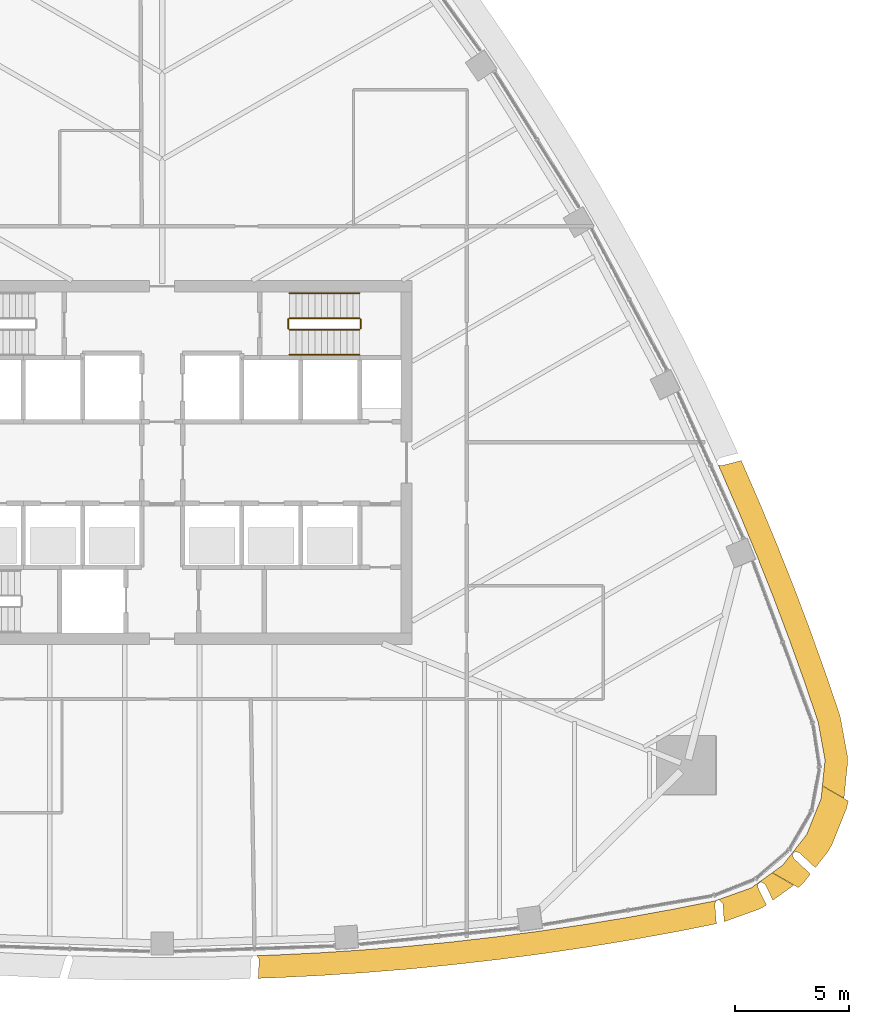
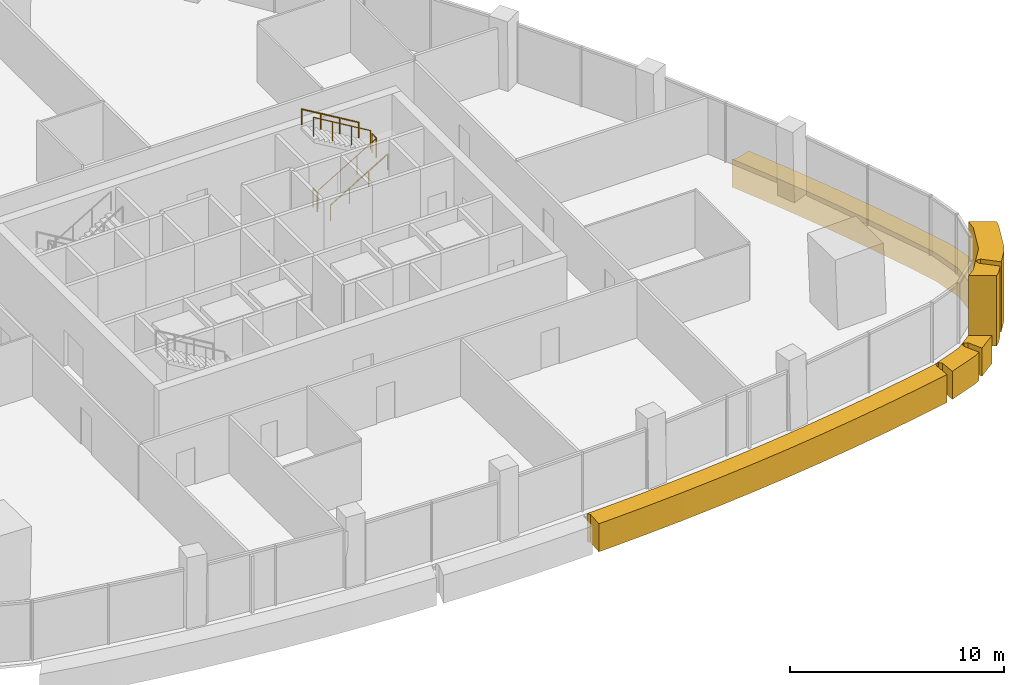
# One storey, part 14 of 16: 6 railings, 3 coverings.
"""IFC4 building model written with IfcOpenShell, lengths in metres."""

from ifc_helpers import new_model, si_unit, direction, frame, origin, origin_2d, place, context, subcontext, project, spatial, polyline, circle, outline, extrude, material, layer, layer_set, type_object, element, save


model = new_model("IFC4")

# Units and contexts
model_context = context("Model", 3, precision=1e-05, world=origin(), true_north=direction((0.0, 1.0)))
body_context = subcontext(model_context, "Body", "Model", "MODEL_VIEW")
ifc_project = project(units=[si_unit("LENGTHUNIT", "METRE"), si_unit("AREAUNIT", "SQUARE_METRE"), si_unit("VOLUMEUNIT", "CUBIC_METRE"), si_unit("PLANEANGLEUNIT", "RADIAN"), si_unit("MASSUNIT", "GRAM", prefix="KILO")], contexts=[model_context])

# Site, building, storey
site_placement = place(None, origin())
site = spatial("IfcSite", under=ifc_project, at=site_placement, CompositionType="ELEMENT")
building_placement = place(site_placement, origin())
building = spatial("IfcBuilding", under=site, at=building_placement, Name="Sierra Prisma Convention Tower", CompositionType="ELEMENT")
storey_placement = place(building_placement, frame((0.0, 0.0, 197.800048828125)))
storey = spatial("IfcBuildingStorey", under=building, at=storey_placement, Name="L44", CompositionType="ELEMENT", Elevation=197.800048828125)

# Coverings
ifc_material_1 = material(Name="Aluminium composite bronze anodised", Category="aluminium")
ifc_layer_1 = layer(ifc_material_1, 1.199951171875)
ifc_layer_set_1 = layer_set([ifc_layer_1], Name="Bronze corner pier")
covering_type_1 = type_object("IfcCoveringType", Name="Bronze corner pier", PredefinedType="CLADDING", material=ifc_layer_set_1)
covering_1_placement = place(storey_placement, frame((0.0, 0.0, -0.60009765625)))
element("IfcCovering", 1, at=covering_1_placement, inside=storey, type_object=covering_type_1, Name="Corner pier SE L44.1", PredefinedType="CLADDING", context=body_context, shape_type="SweptSolid", body=[
    extrude(outline(polyline([(29.290283203125, -17.10498046875), (28.72998046875, -17.8203125), (28.022216796875, -17.158935546875), (28.0185546875, -17.155517578125), (28.014404296875, -17.15283203125), (28.010009765625, -17.150390625), (28.005126953125, -17.1484375), (28.00048828125, -17.14697265625), (27.99560546875, -17.14599609375), (27.846435546875, -17.123779296875), (27.841796875, -17.12353515625), (27.8369140625, -17.12353515625), (27.832275390625, -17.123779296875), (27.827392578125, -17.124755859375), (27.822998046875, -17.126220703125), (27.818359375, -17.1279296875), (27.814208984375, -17.130126953125), (27.81005859375, -17.1328125), (27.806396484375, -17.1357421875), (27.802978515625, -17.138916015625), (27.7998046875, -17.142578125), (27.73828125, -17.22119140625), (27.7353515625, -17.225341796875), (27.73291015625, -17.2294921875), (27.73095703125, -17.23388671875), (27.7294921875, -17.238525390625), (27.728271484375, -17.243408203125), (27.727783203125, -17.248046875), (27.7275390625, -17.2529296875), (27.727783203125, -17.2578125), (27.728515625, -17.2626953125), (27.72998046875, -17.267333984375), (27.769775390625, -17.393310546875), (27.771484375, -17.39794921875), (27.77392578125, -17.402587890625), (27.776611328125, -17.406982421875), (27.77978515625, -17.410888671875), (27.783203125, -17.41455078125), (28.513671875, -18.096923828125), (28.238525390625, -18.4482421875), (27.99609375, -18.681396484375), (27.978759765625, -18.69384765625), (26.839599609375, -18.0361328125), (27.293701171875, -17.70849609375), (28.34521484375, -16.365234375), (28.98291015625, -14.78271484375), (29.039794921875, -14.2255859375), (30.1787109375, -14.88330078125), (30.1767578125, -14.904541015625), (30.095947265625, -15.231201171875), (29.45849609375, -16.813720703125), (29.290283203125, -17.10498046875)])), origin(), (0.0, 0.0, 1.0), 4.0),
])
ifc_material_2 = material(Name="Aluminium composite bronze anodised", Category="aluminium")
ifc_layer_2 = layer(ifc_material_2, 1.0)
ifc_layer_set_2 = layer_set([ifc_layer_2], Name="Bronze spandrel band")
covering_type_2 = type_object("IfcCoveringType", Name="Bronze spandrel band", PredefinedType="CLADDING", material=ifc_layer_set_2)
covering_2_placement = place(storey_placement, frame((0.0, 0.0, -1.60009765625)))
element("IfcCovering", 2, at=covering_2_placement, inside=storey, type_object=covering_type_2, Name="Spandrel band L44.5", PredefinedType="CLADDING", context=body_context, shape_type="SweptSolid", body=[
    extrude(outline(polyline([(29.835205078125, -11.228271484375), (30.139892578125, -12.90673828125), (30.15087890625, -13.18701171875), (29.989990234375, -14.762939453125), (29.040771484375, -14.21484375), (29.156005859375, -13.08544921875), (28.851318359375, -11.40673828125), (28.219970703125, -9.5537109375), (27.55859375, -7.7109375), (26.8671875, -5.879150390625), (26.146240234375, -4.05908203125), (25.395751953125, -2.250732421875), (24.615966796875, -0.455078125), (24.44970703125, -0.088623046875), (24.45166015625, -0.091064453125), (24.455322265625, -0.0947265625), (24.45947265625, -0.097900390625), (24.463623046875, -0.100830078125), (24.46826171875, -0.103271484375), (24.47314453125, -0.10498046875), (24.478271484375, -0.1064453125), (24.597900390625, -0.13232421875), (24.6025390625, -0.133056640625), (24.607177734375, -0.133544921875), (24.61181640625, -0.13330078125), (24.616455078125, -0.1328125), (24.620849609375, -0.1318359375), (25.468505859375, 0.0859375), (25.526611328125, -0.0419921875), (25.533203125, -0.056640625), (26.31298828125, -1.8525390625), (26.3193359375, -1.867431640625), (27.06982421875, -3.67578125), (27.075927734375, -3.69091796875), (27.797119140625, -5.510986328125), (27.802978515625, -5.526123046875), (28.494140625, -7.35791015625), (28.499755859375, -7.373046875), (29.1611328125, -9.2158203125), (29.16650390625, -9.231201171875), (29.7978515625, -11.084228515625), (29.835205078125, -11.228271484375)])), origin(), (0.0, 0.0, 1.0), 1.60009765625),
])
covering_3_placement = place(storey_placement, frame((0.0, 0.0, -1.60009765625)))
element("IfcCovering", 3, at=covering_3_placement, inside=storey, type_object=covering_type_2, Name="Spandrel band L44.6", PredefinedType="CLADDING", context=body_context, shape_type="SweptSolid", body=[
    extrude(outline(polyline([(26.52294921875, -18.54931640625), (26.52001953125, -18.5458984375), (26.516845703125, -18.54248046875), (26.51318359375, -18.53955078125), (26.509521484375, -18.536865234375), (26.50537109375, -18.53466796875), (26.36328125, -18.46240234375), (26.358642578125, -18.46044921875), (26.35400390625, -18.458740234375), (26.34912109375, -18.457763671875), (26.34423828125, -18.457275390625), (26.339111328125, -18.45703125), (26.334228515625, -18.45751953125), (26.329345703125, -18.458251953125), (26.32470703125, -18.459716796875), (26.320068359375, -18.46142578125), (26.3154296875, -18.4638671875), (26.311279296875, -18.466552734375), (26.230224609375, -18.52490234375), (26.226318359375, -18.5283203125), (26.22265625, -18.531982421875), (26.21923828125, -18.535888671875), (26.21630859375, -18.540283203125), (26.214111328125, -18.544921875), (26.212158203125, -18.549560546875), (26.210693359375, -18.5546875), (26.2099609375, -18.559814453125), (26.20947265625, -18.564697265625), (26.207763671875, -18.687255859375), (26.2080078125, -18.69189453125), (26.20849609375, -18.696533203125), (26.20947265625, -18.701171875), (26.2109375, -18.70556640625), (26.212890625, -18.709716796875), (26.57568359375, -19.460205078125), (26.49560546875, -19.51806640625), (26.24755859375, -19.648681640625), (24.722412109375, -20.195068359375), (24.657470703125, -19.40625), (24.65673828125, -19.4013671875), (24.655517578125, -19.396484375), (24.654052734375, -19.391845703125), (24.65185546875, -19.38720703125), (24.6494140625, -19.3828125), (24.646484375, -19.37890625), (24.643310546875, -19.375244140625), (24.525146484375, -19.255615234375), (24.521728515625, -19.25244140625), (24.517822265625, -19.24951171875), (24.513916015625, -19.2470703125), (24.509765625, -19.2451171875), (24.50537109375, -19.243408203125), (24.500732421875, -19.241943359375), (24.49609375, -19.2412109375), (24.4912109375, -19.24072265625), (24.486572265625, -19.24072265625), (24.48193359375, -19.241455078125), (24.477294921875, -19.2421875), (24.47265625, -19.24365234375), (24.378662109375, -19.27734375), (24.3740234375, -19.279296875), (24.36962890625, -19.281494140625), (24.365478515625, -19.284423828125), (24.36181640625, -19.28759765625), (24.358154296875, -19.291015625), (24.35498046875, -19.294921875), (24.352294921875, -19.299072265625), (24.35009765625, -19.303466796875), (24.34814453125, -19.30810546875), (24.311279296875, -19.414306640625), (24.309814453125, -19.41943359375), (24.308837890625, -19.424560546875), (24.308349609375, -19.4296875), (24.30859375, -19.434814453125), (24.378662109375, -20.287109375), (22.57763671875, -20.643310546875), (22.561767578125, -20.646484375), (20.63525390625, -20.9951171875), (20.619140625, -20.997802734375), (18.687255859375, -21.31494140625), (18.671142578125, -21.3173828125), (16.734375, -21.603271484375), (16.71826171875, -21.60546875), (14.777099609375, -21.859619140625), (14.7607421875, -21.861572265625), (12.815673828125, -22.083984375), (12.799560546875, -22.085693359375), (10.85107421875, -22.276611328125), (10.8349609375, -22.278076171875), (8.883544921875, -22.43701171875), (8.8671875, -22.438232421875), (6.913818359375, -22.565673828125), (6.8974609375, -22.566650390625), (4.94189453125, -22.662109375), (4.92578125, -22.662841796875), (4.222412109375, -22.685791015625), (4.267578125, -21.864990234375), (4.267578125, -21.860107421875), (4.26708984375, -21.85498046875), (4.26611328125, -21.85009765625), (4.2646484375, -21.84521484375), (4.2626953125, -21.840576171875), (4.26025390625, -21.836181640625), (4.181396484375, -21.707763671875), (4.1787109375, -21.703857421875), (4.17578125, -21.7001953125), (4.17236328125, -21.69677734375), (4.168701171875, -21.693603515625), (4.16455078125, -21.691162109375), (4.160400390625, -21.688720703125), (4.15673828125, -21.687255859375), (4.893310546875, -21.663330078125), (6.8486328125, -21.56787109375), (8.80224609375, -21.4404296875), (10.753662109375, -21.28125), (12.7021484375, -21.090576171875), (14.647216796875, -20.867919921875), (16.58837890625, -20.614013671875), (18.525146484375, -20.328125), (20.457275390625, -20.010986328125), (22.3837890625, -19.66259765625), (24.30419921875, -19.28271484375), (25.910400390625, -18.707275390625), (26.830810546875, -18.042724609375), (27.780029296875, -18.5908203125), (26.864013671875, -19.252197265625), (26.52783203125, -18.557373046875), (26.525634765625, -18.55322265625), (26.52294921875, -18.54931640625)])), origin(), (0.0, 0.0, 1.0), 1.60009765625),
])

# Railings
ifc_material_3 = material(Name="Stainless steel", Category="steel")
railing_type_1 = type_object("IfcRailingType", Name="Exit stair handrail", PredefinedType="HANDRAIL", material=ifc_material_3)
railing_1_placement = place(storey_placement, frame((5.60009765625, 4.75, 0.16650390625)))
element("IfcRailing", 4, at=railing_1_placement, inside=storey, type_object=railing_type_1, Name="L44 S4 stair handrail 1", PredefinedType="HANDRAIL", context=body_context, shape_type="SweptSolid", body=[
    extrude(circle(Radius=0.02392578125, at=origin_2d()), frame((0.0, 0.0, 0.8759765625), z_axis=(0.859260807169, 0.0, 0.511537745687), x_axis=(0.0, 1.0, 0.0)), (0.0, 0.0, 1.0), 3.584228515625),
    extrude(circle(Radius=0.02099609375, at=origin_2d()), origin(), (0.0, 0.0, 1.0), 0.851806640625),
    extrude(circle(Radius=0.02099609375, at=origin_2d()), frame((1.026611328125, 0.0, 0.611083984375)), (0.0, 0.0, 1.0), 0.851806640625),
    extrude(circle(Radius=0.02099609375, at=origin_2d()), frame((2.05322265625, 0.0, 1.222412109375)), (0.0, 0.0, 1.0), 0.851806640625),
    extrude(circle(Radius=0.02099609375, at=origin_2d()), frame((3.079833984375, 0.0, 1.83349609375)), (0.0, 0.0, 1.0), 0.851806640625),
])
railing_2_placement = place(storey_placement, frame((8.679931640625, 7.449951171875, 2.16650390625)))
element("IfcRailing", 5, at=railing_2_placement, inside=storey, type_object=railing_type_1, Name="L44 S4 stair handrail 2", PredefinedType="HANDRAIL", context=body_context, shape_type="SweptSolid", body=[
    extrude(circle(Radius=0.02392578125, at=origin_2d()), frame((0.0, 0.0, 0.8759765625), z_axis=(-0.859260807169, 0.0, 0.511537745687), x_axis=(0.0, -1.0, 0.0)), (0.0, 0.0, 1.0), 3.584228515625),
    extrude(circle(Radius=0.02099609375, at=origin_2d()), origin(), (0.0, 0.0, 1.0), 0.851806640625),
    extrude(circle(Radius=0.02099609375, at=origin_2d()), frame((-1.026611328125, 0.0, 0.611083984375)), (0.0, 0.0, 1.0), 0.851806640625),
    extrude(circle(Radius=0.02099609375, at=origin_2d()), frame((-2.05322265625, 0.0, 1.222412109375)), (0.0, 0.0, 1.0), 0.851806640625),
    extrude(circle(Radius=0.02099609375, at=origin_2d()), frame((-3.079833984375, 0.0, 1.83349609375)), (0.0, 0.0, 1.0), 0.851806640625),
])
ifc_material_4 = material(Name="Stainless steel", Category="steel")
railing_type_2 = type_object("IfcRailingType", Name="Stair guard 1100", PredefinedType="GUARDRAIL", material=ifc_material_4)
railing_3_placement = place(storey_placement, frame((5.60009765625, 5.85009765625, 0.16650390625)))
element("IfcRailing", 6, at=railing_3_placement, inside=storey, type_object=railing_type_2, Name="L44 S4 stair guard 1", PredefinedType="GUARDRAIL", context=body_context, shape_type="SweptSolid", body=[
    extrude(circle(Radius=0.02392578125, at=origin_2d()), frame((0.0, 0.0, 1.076171875), z_axis=(0.859260807169, 0.0, 0.511537745687), x_axis=(0.0, 1.0, 0.0)), (0.0, 0.0, 1.0), 3.584228515625),
    extrude(circle(Radius=0.02099609375, at=origin_2d()), origin(), (0.0, 0.0, 1.0), 1.052001953125),
    extrude(circle(Radius=0.02099609375, at=origin_2d()), frame((1.026611328125, 0.0, 0.611083984375)), (0.0, 0.0, 1.0), 1.052001953125),
    extrude(circle(Radius=0.02099609375, at=origin_2d()), frame((2.05322265625, 0.0, 1.222412109375)), (0.0, 0.0, 1.0), 1.052001953125),
    extrude(circle(Radius=0.02099609375, at=origin_2d()), frame((3.079833984375, 0.0, 1.83349609375)), (0.0, 0.0, 1.0), 1.052001953125),
])
railing_4_placement = place(storey_placement, frame((8.72998046875, 5.89990234375, 2.0)))
element("IfcRailing", 7, at=railing_4_placement, inside=storey, type_object=railing_type_2, Name="L44 S4 stair guard 2", PredefinedType="GUARDRAIL", context=body_context, shape_type="SweptSolid", body=[
    extrude(circle(Radius=0.02392578125, at=origin_2d()), frame((0.0, 0.0, 1.076171875), z_axis=(0.0, 1.0, 0.0), x_axis=(-1.0, 0.0, 0.0)), (0.0, 0.0, 1.0), 0.400146484375),
    extrude(circle(Radius=0.02099609375, at=origin_2d()), origin(), (0.0, 0.0, 1.0), 1.052001953125),
    extrude(circle(Radius=0.02099609375, at=origin_2d()), frame((0.0, 0.400146484375, 0.0)), (0.0, 0.0, 1.0), 1.052001953125),
])
railing_5_placement = place(storey_placement, frame((8.679931640625, 6.35009765625, 2.16650390625)))
element("IfcRailing", 8, at=railing_5_placement, inside=storey, type_object=railing_type_2, Name="L44 S4 stair guard 3", PredefinedType="GUARDRAIL", context=body_context, shape_type="SweptSolid", body=[
    extrude(circle(Radius=0.02392578125, at=origin_2d()), frame((0.0, 0.0, 1.076171875), z_axis=(-0.859260807169, 0.0, 0.511537745687), x_axis=(0.0, -1.0, 0.0)), (0.0, 0.0, 1.0), 3.584228515625),
    extrude(circle(Radius=0.02099609375, at=origin_2d()), origin(), (0.0, 0.0, 1.0), 1.052001953125),
    extrude(circle(Radius=0.02099609375, at=origin_2d()), frame((-1.026611328125, 0.0, 0.611083984375)), (0.0, 0.0, 1.0), 1.052001953125),
    extrude(circle(Radius=0.02099609375, at=origin_2d()), frame((-2.05322265625, 0.0, 1.222412109375)), (0.0, 0.0, 1.0), 1.052001953125),
    extrude(circle(Radius=0.02099609375, at=origin_2d()), frame((-3.079833984375, 0.0, 1.83349609375)), (0.0, 0.0, 1.0), 1.052001953125),
])
railing_6_placement = place(storey_placement, frame((5.550048828125, 5.89990234375, 0.0)))
element("IfcRailing", 9, at=railing_6_placement, inside=storey, type_object=railing_type_2, Name="L44 S4 stair guard 4", PredefinedType="GUARDRAIL", context=body_context, shape_type="SweptSolid", body=[
    extrude(circle(Radius=0.02392578125, at=origin_2d()), frame((0.0, 0.0, 1.076171875), z_axis=(0.0, 1.0, 0.0), x_axis=(-1.0, 0.0, 0.0)), (0.0, 0.0, 1.0), 0.400146484375),
    extrude(circle(Radius=0.02099609375, at=origin_2d()), origin(), (0.0, 0.0, 1.0), 1.052001953125),
    extrude(circle(Radius=0.02099609375, at=origin_2d()), frame((0.0, 0.400146484375, 0.0)), (0.0, 0.0, 1.0), 1.052001953125),
])

save(model, "model.ifc")
